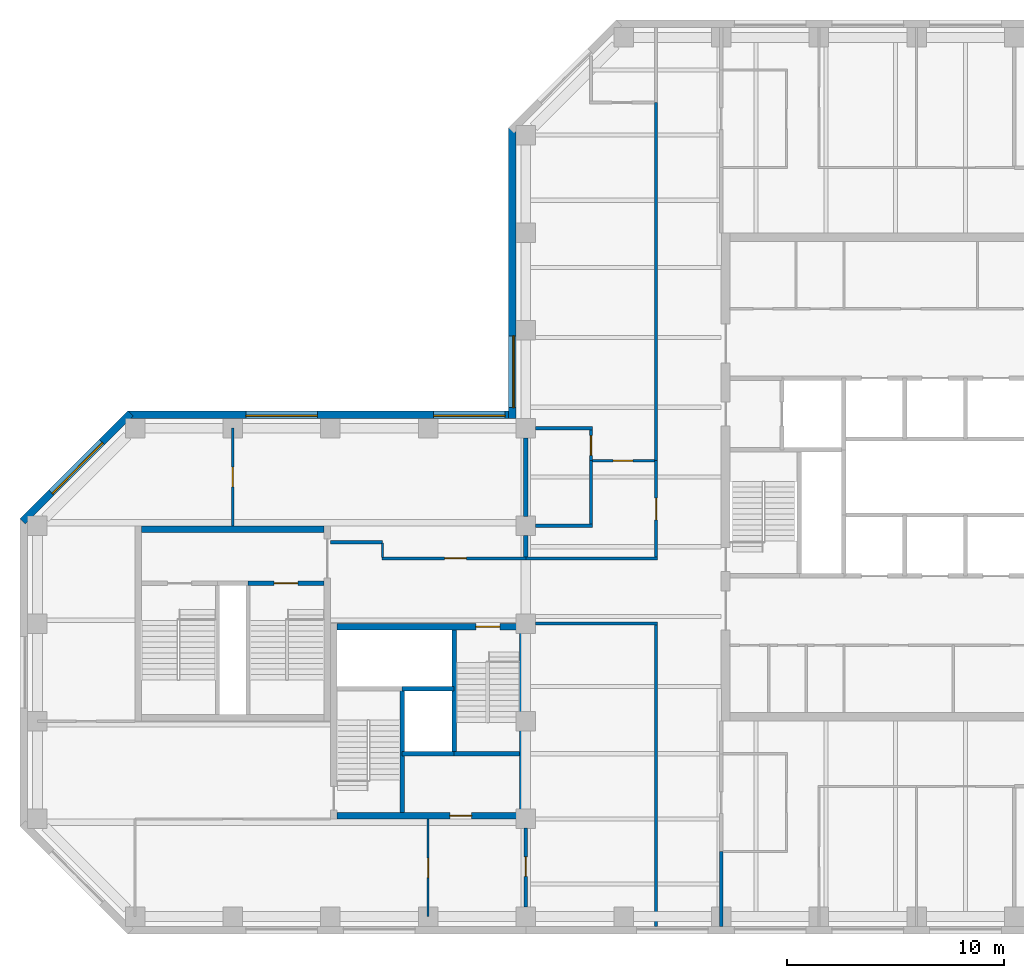
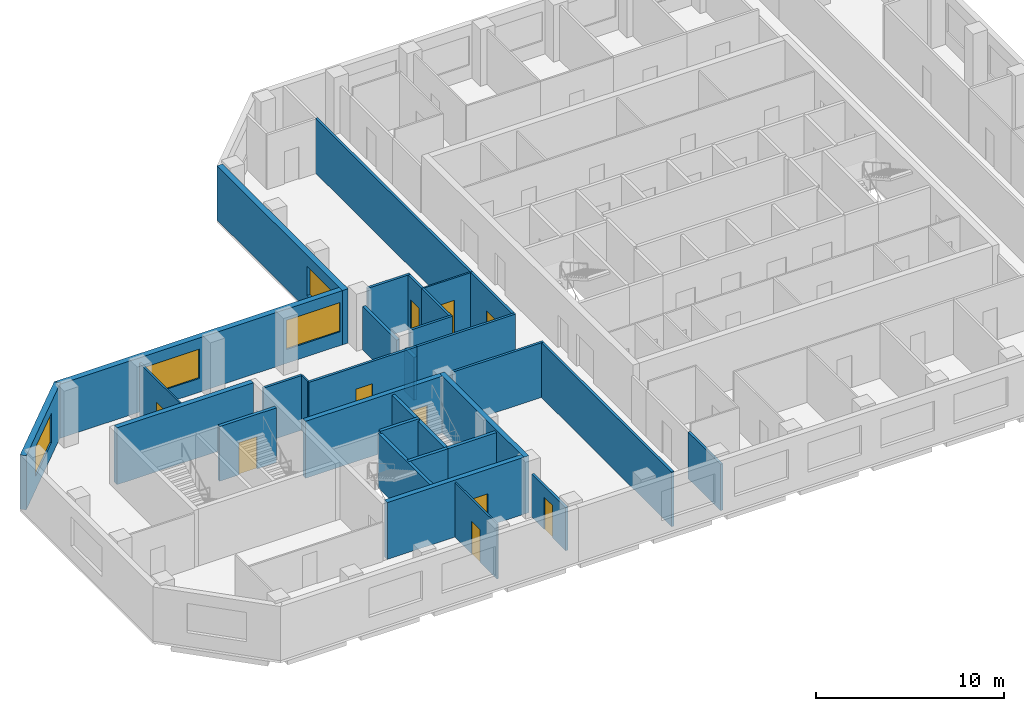
# One storey, part 3 of 9: 32 walls, 10 doors, 4 windows, 14 openings.
"""IFC4 building model written with IfcOpenShell, lengths in metres."""

from ifc_helpers import new_model, si_unit, direction, frame, frame_2d, origin, place, context, subcontext, project, spatial, rectangle, extrude, material, layer, layer_set, constituent, constituent_set, type_object, element, fill, save


model = new_model("IFC4")

# Units and contexts
model_context = context("Model", 3, precision=1e-05, world=origin(), true_north=direction((0.0, 1.0)))
body_context = subcontext(model_context, "Body", "Model", "MODEL_VIEW")
ifc_project = project(units=[si_unit("LENGTHUNIT", "METRE"), si_unit("AREAUNIT", "SQUARE_METRE"), si_unit("VOLUMEUNIT", "CUBIC_METRE"), si_unit("PLANEANGLEUNIT", "RADIAN"), si_unit("MASSUNIT", "GRAM", prefix="KILO")], contexts=[model_context])

# Site, building, storey
site_placement = place(None, origin())
site = spatial("IfcSite", under=ifc_project, at=site_placement, CompositionType="ELEMENT")
building_placement = place(site_placement, origin())
building = spatial("IfcBuilding", under=site, at=building_placement, Name="Quoin Convention Tower", CompositionType="ELEMENT")
storey_placement = place(building_placement, frame((0.0, 0.0, 147.699951171875)))
storey = spatial("IfcBuildingStorey", under=building, at=storey_placement, Name="L38", CompositionType="ELEMENT", Elevation=147.699951171875)

# Walls
ifc_material_1 = material(Name="Plasterboard")
ifc_layer_1 = layer(ifc_material_1, 0.012451171875, Name="Finish")
ifc_material_2 = material(Name="Steel stud framing", Category="steel")
ifc_layer_2 = layer(ifc_material_2, 0.125, Name="Structure")
ifc_layer_3 = layer(ifc_material_1, 0.012451171875, Name="Finish")
ifc_layer_set_1 = layer_set([ifc_layer_1, ifc_layer_2, ifc_layer_3], Name="Steel stud framing")
wall_type_1 = type_object("IfcWallType", Name="Acoustic partition 150", PredefinedType="PARTITIONING", material=ifc_layer_set_1)
for number, where, z_axis, x_axis, name in (
    (1, (36.449951171875, 58.5, 0.0), (0.0, 0.0, 1.0), (1.0, 0.0, 0.0), "pw-L38-022"),
    (2, (36.449951171875, 63.0, 0.0), (0.0, 0.0, 1.0), (1.0, 0.0, 0.0), "pw-L38-028"),
):
    element("IfcWall", number, at=place(storey_placement, frame(where, z_axis=z_axis, x_axis=x_axis)), inside=storey, type_object=wall_type_1, Name=name, PredefinedType="PARTITIONING", context=body_context, shape_type="SweptSolid", body=[
        extrude(rectangle(XDim=2.625, YDim=0.14990234375, at=frame_2d((1.3125, 0.0))), origin(), (0.0, 0.0, 1.0), 3.550048828125),
    ])
wall_1_placement = place(storey_placement, frame((39.0, 58.574951171875, 0.0), z_axis=(0.0, 0.0, 1.0), x_axis=(0.0, 1.0, 0.0)))
element("IfcWall", 3, at=wall_1_placement, inside=storey, type_object=wall_type_1, Name="pw-L38-069", PredefinedType="PARTITIONING", context=body_context, shape_type="SweptSolid", body=[
    extrude(rectangle(XDim=2.925048828125, YDim=0.14990234375, at=frame_2d((1.46240234375, 0.0))), origin(), (0.0, 0.0, 1.0), 3.550048828125),
])

# Wall, opening, door
wall_2_placement = place(storey_placement, frame((39.0, 61.5, 0.0), z_axis=(0.0, 0.0, 1.0), x_axis=(0.0, 1.0, 0.0)))
wall_2 = element("IfcWall", 4, at=wall_2_placement, inside=storey, type_object=wall_type_1, Name="pw-L38-075", PredefinedType="PARTITIONING", context=body_context, shape_type="SweptSolid", body=[
    extrude(rectangle(XDim=1.425048828125, YDim=0.14990234375, at=frame_2d((0.71240234375, 0.0))), origin(), (0.0, 0.0, 1.0), 3.550048828125),
])
opening_1_placement = place(wall_2_placement, frame((0.25, 0.0, 0.0)))
opening_1 = element("IfcOpeningElement", 5, at=opening_1_placement, cuts=wall_2, Name="Opening DOH1-22", PredefinedType="OPENING", context=body_context, shape_type="SweptSolid", body=[
    extrude(rectangle(XDim=0.89990234375, YDim=2.10009765625, at=frame_2d((0.449951171875, 1.050048828125))), frame((0.0, 0.0849609375, 0.0), z_axis=(0.0, -1.0, 0.0), x_axis=(1.0, 0.0, 0.0)), (0.0, 0.0, 1.0), 0.169921875),
])
ifc_material_3 = material(Name="Steel door leaf", Category="steel")
door_type_1 = type_object("IfcDoorType", Name="Office door 900 x 2100", OperationType="SINGLE_SWING_RIGHT", PredefinedType="DOOR", material=ifc_material_3)
door_1_placement = place(opening_1_placement, frame((0.89990234375, 0.0, 0.0), z_axis=(0.0, 0.0, 1.0), x_axis=(-1.0, 0.0, 0.0)))
door_1 = element("IfcDoor", 6, at=door_1_placement, inside=storey, type_object=door_type_1, Name="dr-L38-15", OperationType="SINGLE_SWING_RIGHT", OverallHeight=2.10009765625, OverallWidth=0.89990234375, PredefinedType="DOOR", context=body_context, shape_type="SweptSolid", body=[
    extrude(rectangle(XDim=0.89990234375, YDim=2.10009765625, at=frame_2d((0.449951171875, 1.050048828125))), frame((0.0, 0.02490234375, 0.0), z_axis=(0.0, -1.0, 0.0), x_axis=(1.0, 0.0, 0.0)), (0.0, 0.0, 1.0), 0.050048828125),
])
fill(opening_1, door_1)

# Wall, opening, window
ifc_material_4 = material(Name="Brick masonry", Category="masonry")
ifc_layer_4 = layer(ifc_material_4, 0.35009765625)
ifc_layer_set_2 = layer_set([ifc_layer_4], Name="Brick masonry")
wall_type_2 = type_object("IfcWallType", Name="Brick facade wall", PredefinedType="STANDARD", material=ifc_layer_set_2)
wall_3_placement = place(storey_placement, frame((35.375, 76.831298828125, 0.0), z_axis=(0.0, 0.0, 1.0), x_axis=(0.0, -1.0, 0.0)))
wall_3 = element("IfcWall", 7, at=wall_3_placement, inside=storey, type_object=wall_type_2, Name="fw-L38-36000_76500", PredefinedType="STANDARD", context=body_context, shape_type="SweptSolid", body=[
    extrude(rectangle(XDim=13.38134765625, YDim=0.35009765625, at=frame_2d((6.690673828125, 0.0))), origin(), (0.0, 0.0, 1.0), 3.525146484375),
])
opening_2_placement = place(wall_3_placement, frame((9.581298828125, 0.0, 0.89990234375)))
opening_2 = element("IfcOpeningElement", 8, at=opening_2_placement, cuts=wall_3, Name="Opening W-02", PredefinedType="OPENING", context=body_context, shape_type="SweptSolid", body=[
    extrude(rectangle(XDim=3.300048828125, YDim=1.89990234375, at=frame_2d((1.64990234375, 0.949951171875))), frame((0.0, 0.18505859375, 0.0), z_axis=(0.0, -1.0, 0.0), x_axis=(1.0, 0.0, 0.0)), (0.0, 0.0, 1.0), 0.3701171875),
])
ifc_material_5 = material(Name="Aluminium", Category="aluminium")
ifc_constituent_1 = constituent(ifc_material_5, Name="Frame")
ifc_material_6 = material(Name="Insulated glass", Category="glass")
ifc_constituent_2 = constituent(ifc_material_6, Name="Glazing")
ifc_constituent_set = constituent_set(constituents=[ifc_constituent_1, ifc_constituent_2], Name="Aluminium")
window_type = type_object("IfcWindowType", Name="Office window", PartitioningType="DOUBLE_PANEL_VERTICAL", PredefinedType="WINDOW", material=ifc_constituent_set)
window_1_placement = place(opening_2_placement, origin())
window_1 = element("IfcWindow", 9, at=window_1_placement, inside=storey, type_object=window_type, Name="win-L38-35375_65250", OverallHeight=1.89990234375, OverallWidth=3.300048828125, PartitioningType="SINGLE_PANEL", PredefinedType="WINDOW", context=body_context, shape_type="SweptSolid", body=[
    extrude(rectangle(XDim=3.300048828125, YDim=1.89990234375, at=frame_2d((1.64990234375, 0.949951171875))), frame((0.0, 0.0849609375, 0.0), z_axis=(0.0, -1.0, 0.0), x_axis=(1.0, 0.0, 0.0)), (0.0, 0.0, 1.0), 0.06005859375),
])
fill(opening_2, window_1)

# Wall, openings, windows
wall_4_placement = place(storey_placement, frame((35.550048828125, 63.625, 0.0), z_axis=(0.0, 0.0, 1.0), x_axis=(-1.0, 0.0, 0.0)))
wall_4 = element("IfcWall", 10, at=wall_4_placement, inside=storey, type_object=wall_type_2, Name="fw-L38-36000_63000", PredefinedType="STANDARD", context=body_context, shape_type="SweptSolid", body=[
    extrude(rectangle(XDim=17.88134765625, YDim=0.35009765625, at=frame_2d((8.940673828125, 0.0))), origin(), (0.0, 0.0, 1.0), 3.525146484375),
])
opening_3_placement = place(wall_4_placement, frame((0.5, 0.0, 0.89990234375)))
opening_3 = element("IfcOpeningElement", 11, at=opening_3_placement, cuts=wall_4, Name="Opening W-02", PredefinedType="OPENING", context=body_context, shape_type="SweptSolid", body=[
    extrude(rectangle(XDim=3.300048828125, YDim=1.89990234375, at=frame_2d((1.64990234375, 0.949951171875))), frame((0.0, 0.18505859375, 0.0), z_axis=(0.0, -1.0, 0.0), x_axis=(1.0, 0.0, 0.0)), (0.0, 0.0, 1.0), 0.3701171875),
])
opening_4_placement = place(wall_4_placement, frame((9.14990234375, 0.0, 0.89990234375)))
opening_4 = element("IfcOpeningElement", 12, at=opening_4_placement, cuts=wall_4, Name="Opening W-02", PredefinedType="OPENING", context=body_context, shape_type="SweptSolid", body=[
    extrude(rectangle(XDim=3.300048828125, YDim=1.89990234375, at=frame_2d((1.64990234375, 0.949951171875))), frame((0.0, 0.18505859375, 0.0), z_axis=(0.0, -1.0, 0.0), x_axis=(1.0, 0.0, 0.0)), (0.0, 0.0, 1.0), 0.3701171875),
])
window_2_placement = place(opening_3_placement, origin())
window_2 = element("IfcWindow", 13, at=window_2_placement, inside=storey, type_object=window_type, Name="win-L38-33750_63625", OverallHeight=1.89990234375, OverallWidth=3.300048828125, PartitioningType="SINGLE_PANEL", PredefinedType="WINDOW", context=body_context, shape_type="SweptSolid", body=[
    extrude(rectangle(XDim=3.300048828125, YDim=1.89990234375, at=frame_2d((1.64990234375, 0.949951171875))), frame((0.0, 0.0849609375, 0.0), z_axis=(0.0, -1.0, 0.0), x_axis=(1.0, 0.0, 0.0)), (0.0, 0.0, 1.0), 0.06005859375),
])
fill(opening_3, window_2)
window_3_placement = place(opening_4_placement, origin())
window_3 = element("IfcWindow", 14, at=window_3_placement, inside=storey, type_object=window_type, Name="win-L38-24750_63625", OverallHeight=1.89990234375, OverallWidth=3.300048828125, PartitioningType="SINGLE_PANEL", PredefinedType="WINDOW", context=body_context, shape_type="SweptSolid", body=[
    extrude(rectangle(XDim=3.300048828125, YDim=1.89990234375, at=frame_2d((1.64990234375, 0.949951171875))), frame((0.0, 0.0849609375, 0.0), z_axis=(0.0, -1.0, 0.0), x_axis=(1.0, 0.0, 0.0)), (0.0, 0.0, 1.0), 0.06005859375),
])
fill(opening_4, window_3)

# Wall, opening, window
wall_5_placement = place(storey_placement, frame((17.79248046875, 63.67626953125, 0.0), z_axis=(0.0, 0.0, 1.0), x_axis=(-0.707106781187, -0.707106781187, 0.0)))
wall_5 = element("IfcWall", 15, at=wall_5_placement, inside=storey, type_object=wall_type_2, Name="fw-L38-18000_63000", PredefinedType="STANDARD", context=body_context, shape_type="SweptSolid", body=[
    extrude(rectangle(XDim=7.02685546875, YDim=0.35009765625, at=frame_2d((3.513427734375, 0.0))), origin(), (0.0, 0.0, 1.0), 3.525146484375),
])
opening_5_placement = place(wall_5_placement, frame((1.86328125, 0.0, 0.89990234375)))
opening_5 = element("IfcOpeningElement", 16, at=opening_5_placement, cuts=wall_5, Name="Opening W-02", PredefinedType="OPENING", context=body_context, shape_type="SweptSolid", body=[
    extrude(rectangle(XDim=3.300048828125, YDim=1.89990234375, at=frame_2d((1.64990234375, 0.949951171875))), frame((0.0, 0.18505859375, 0.0), z_axis=(0.0, -1.0, 0.0), x_axis=(1.0, 0.0, 0.0)), (0.0, 0.0, 1.0), 0.3701171875),
])
window_4_placement = place(opening_5_placement, origin())
window_4 = element("IfcWindow", 17, at=window_4_placement, inside=storey, type_object=window_type, Name="win-L38-15308_61192", OverallHeight=1.89990234375, OverallWidth=3.300048828125, PartitioningType="SINGLE_PANEL", PredefinedType="WINDOW", context=body_context, shape_type="SweptSolid", body=[
    extrude(rectangle(XDim=3.300048828125, YDim=1.89990234375, at=frame_2d((1.64990234375, 0.949951171875))), frame((0.0, 0.0849609375, 0.0), z_axis=(0.0, -1.0, 0.0), x_axis=(1.0, 0.0, 0.0)), (0.0, 0.0, 1.0), 0.06005859375),
])
fill(opening_5, window_4)

# Walls
ifc_material_7 = material(Name="Concrete C50", Category="concrete")
ifc_layer_5 = layer(ifc_material_7, 0.199951171875)
ifc_layer_set_3 = layer_set([ifc_layer_5], Name="Concrete C50")
wall_type_3 = type_object("IfcWallType", Name="Core shaft wall", PredefinedType="SOLIDWALL", material=ifc_layer_set_3)
wall_6_placement = place(storey_placement, frame((30.300048828125, 48.0, 0.0), z_axis=(0.0, 0.0, 1.0), x_axis=(1.0, 0.0, 0.0)))
element("IfcWall", 18, at=wall_6_placement, inside=storey, type_object=wall_type_3, Name="cr-P2-L38-h3000_3300", PredefinedType="SOLIDWALL", context=body_context, shape_type="SweptSolid", body=[
    extrude(rectangle(XDim=2.39990234375, YDim=0.199951171875, at=frame_2d((1.199951171875, 0.0))), origin(), (0.0, 0.0, 1.0), 3.550048828125),
])
wall_7_placement = place(storey_placement, frame((32.699951171875, 48.0, 0.0), z_axis=(0.0, 0.0, 1.0), x_axis=(1.0, 0.0, 0.0)))
element("IfcWall", 19, at=wall_7_placement, inside=storey, type_object=wall_type_3, Name="cr-P2-L38-h3000_5700", PredefinedType="SOLIDWALL", context=body_context, shape_type="SweptSolid", body=[
    extrude(rectangle(XDim=3.0, YDim=0.199951171875, at=frame_2d((1.5, 0.0))), origin(), (0.0, 0.0, 1.0), 3.550048828125),
])
for number, where, z_axis, x_axis, name in (
    (20, (30.300048828125, 45.300048828125, 0.0), (0.0, 0.0, 1.0), (0.0, 1.0, 0.0), "cr-P2-L38-v3300_300"),
    (21, (32.699951171875, 48.0, 0.0), (0.0, 0.0, 1.0), (0.0, 1.0, 0.0), "cr-P2-L38-v5700_3000"),
):
    element("IfcWall", number, at=place(storey_placement, frame(where, z_axis=z_axis, x_axis=x_axis)), inside=storey, type_object=wall_type_3, Name=name, PredefinedType="SOLIDWALL", context=body_context, shape_type="SweptSolid", body=[
        extrude(rectangle(XDim=5.699951171875, YDim=0.199951171875, at=frame_2d((2.85009765625, 0.0))), origin(), (0.0, 0.0, 1.0), 3.550048828125),
    ])

# Wall, opening, door
wall_8_placement = place(storey_placement, frame((23.199951171875, 55.85009765625, 0.0), z_axis=(0.0, 0.0, 1.0), x_axis=(1.0, 0.0, 0.0)))
wall_8 = element("IfcWall", 22, at=wall_8_placement, inside=storey, type_object=wall_type_3, Name="cr-P6-L38-h6350_5200", PredefinedType="SOLIDWALL", context=body_context, shape_type="SweptSolid", body=[
    extrude(rectangle(XDim=3.5, YDim=0.199951171875, at=frame_2d((1.75, 0.0))), origin(), (0.0, 0.0, 1.0), 3.550048828125),
])
opening_6_placement = place(wall_8_placement, frame((1.199951171875, 0.0, 0.0)))
opening_6 = element("IfcOpeningElement", 23, at=opening_6_placement, cuts=wall_8, Name="Opening SD12", PredefinedType="OPENING", context=body_context, shape_type="SweptSolid", body=[
    extrude(rectangle(XDim=1.10009765625, YDim=2.10009765625, at=frame_2d((0.550048828125, 1.050048828125))), frame((0.0, 0.10986328125, 0.0), z_axis=(0.0, -1.0, 0.0), x_axis=(1.0, 0.0, 0.0)), (0.0, 0.0, 1.0), 0.219970703125),
])
door_type_2 = type_object("IfcDoorType", Name="Stair door 1100 x 2100", OperationType="SINGLE_SWING_RIGHT", PredefinedType="DOOR", material=ifc_material_3)
door_2_placement = place(opening_6_placement, origin())
door_2 = element("IfcDoor", 24, at=door_2_placement, inside=storey, type_object=door_type_2, Name="cd-P6-L38-SB-R2-SD12", OperationType="SINGLE_SWING_RIGHT", OverallHeight=2.10009765625, OverallWidth=1.10009765625, PredefinedType="DOOR", context=body_context, shape_type="SweptSolid", body=[
    extrude(rectangle(XDim=1.10009765625, YDim=2.10009765625, at=frame_2d((0.550048828125, 1.050048828125))), frame((0.0, 0.02490234375, 0.0), z_axis=(0.0, -1.0, 0.0), x_axis=(1.0, 0.0, 0.0)), (0.0, 0.0, 1.0), 0.050048828125),
])
fill(opening_6, door_2)

# Walls
ifc_layer_6 = layer(ifc_material_7, 0.199951171875)
ifc_layer_set_4 = layer_set([ifc_layer_6], Name="Concrete C50")
wall_type_4 = type_object("IfcWallType", Name="Core shaft wall to the floor level over", PredefinedType="SOLIDWALL", material=ifc_layer_set_4)
wall_9_placement = place(storey_placement, frame((30.300048828125, 51.0, 0.0), z_axis=(0.0, 0.0, 1.0), x_axis=(1.0, 0.0, 0.0)))
element("IfcWall", 25, at=wall_9_placement, inside=storey, type_object=wall_type_4, Name="cr-P2-L38-h6000_3300", PredefinedType="SOLIDWALL", context=body_context, shape_type="SweptSolid", body=[
    extrude(rectangle(XDim=2.39990234375, YDim=0.199951171875, at=frame_2d((1.199951171875, 0.0))), origin(), (0.0, 0.0, 1.0), 3.699951171875),
])
ifc_layer_7 = layer(ifc_material_1, 0.012451171875, Name="Finish")
ifc_layer_8 = layer(ifc_material_2, 0.125, Name="Structure")
ifc_layer_9 = layer(ifc_material_1, 0.012451171875, Name="Finish")
ifc_layer_set_5 = layer_set([ifc_layer_7, ifc_layer_8, ifc_layer_9], Name="Steel stud framing")
wall_type_5 = type_object("IfcWallType", Name="Corridor wall 150", PredefinedType="PARTITIONING", material=ifc_layer_set_5)
wall_10_placement = place(storey_placement, frame((36.449951171875, 54.0, 0.0), z_axis=(0.0, 0.0, 1.0), x_axis=(1.0, 0.0, 0.0)))
element("IfcWall", 26, at=wall_10_placement, inside=storey, type_object=wall_type_5, Name="pw-L38-016", PredefinedType="PARTITIONING", context=body_context, shape_type="SweptSolid", body=[
    extrude(rectangle(XDim=5.625, YDim=0.14990234375, at=frame_2d((2.8125, 0.0))), origin(), (0.0, 0.0, 1.0), 3.550048828125),
])

# Wall, opening, door
wall_11_placement = place(storey_placement, frame((29.3798828125, 57.0, 0.0), z_axis=(0.0, 0.0, 1.0), x_axis=(1.0, 0.0, 0.0)))
wall_11 = element("IfcWall", 27, at=wall_11_placement, inside=storey, type_object=wall_type_5, Name="pw-L38-019", PredefinedType="PARTITIONING", context=body_context, shape_type="SweptSolid", body=[
    extrude(rectangle(XDim=6.6201171875, YDim=0.14990234375, at=frame_2d((3.31005859375, 0.0))), origin(), (0.0, 0.0, 1.0), 3.550048828125),
])
opening_7_placement = place(wall_11_placement, frame((2.8798828125, 0.0, 0.0)))
opening_7 = element("IfcOpeningElement", 28, at=opening_7_placement, cuts=wall_11, Name="Opening DOH1-05", PredefinedType="OPENING", context=body_context, shape_type="SweptSolid", body=[
    extrude(rectangle(XDim=1.0, YDim=2.10009765625, at=frame_2d((0.5, 1.050048828125))), frame((0.0, 0.0849609375, 0.0), z_axis=(0.0, -1.0, 0.0), x_axis=(1.0, 0.0, 0.0)), (0.0, 0.0, 1.0), 0.169921875),
])
door_type_3 = type_object("IfcDoorType", Name="Tenancy entrance door 1000 x 2100", OperationType="DOUBLE_DOOR_SINGLE_SWING", PredefinedType="DOOR", material=ifc_material_3)
door_3_placement = place(opening_7_placement, origin())
door_3 = element("IfcDoor", 29, at=door_3_placement, inside=storey, type_object=door_type_3, Name="dr-L38-w01", OperationType="DOUBLE_DOOR_SINGLE_SWING", OverallHeight=2.10009765625, OverallWidth=1.0, PredefinedType="DOOR", context=body_context, shape_type="SweptSolid", body=[
    extrude(rectangle(XDim=1.0, YDim=2.10009765625, at=frame_2d((0.5, 1.050048828125))), frame((0.0, 0.02490234375, 0.0), z_axis=(0.0, -1.0, 0.0), x_axis=(1.0, 0.0, 0.0)), (0.0, 0.0, 1.0), 0.050048828125),
])
fill(opening_7, door_3)

# Walls
wall_12_placement = place(storey_placement, frame((36.0, 57.0, 0.0), z_axis=(0.0, 0.0, 1.0), x_axis=(1.0, 0.0, 0.0)))
element("IfcWall", 30, at=wall_12_placement, inside=storey, type_object=wall_type_5, Name="pw-L38-020", PredefinedType="PARTITIONING", context=body_context, shape_type="SweptSolid", body=[
    extrude(rectangle(XDim=6.074951171875, YDim=0.14990234375, at=frame_2d((3.03759765625, 0.0))), origin(), (0.0, 0.0, 1.0), 3.550048828125),
])
wall_13_placement = place(storey_placement, frame((42.0, 40.050048828125, 0.0), z_axis=(0.0, 0.0, 1.0), x_axis=(0.0, 1.0, 0.0)))
element("IfcWall", 31, at=wall_13_placement, inside=storey, type_object=wall_type_5, Name="pw-L38-040", PredefinedType="PARTITIONING", context=body_context, shape_type="SweptSolid", body=[
    extrude(rectangle(XDim=13.875, YDim=0.14990234375, at=frame_2d((6.9375, 0.0))), origin(), (0.0, 0.0, 1.0), 3.550048828125),
])

# Wall, opening, door
wall_14_placement = place(storey_placement, frame((42.0, 57.074951171875, 0.0), z_axis=(0.0, 0.0, 1.0), x_axis=(0.0, 1.0, 0.0)))
wall_14 = element("IfcWall", 32, at=wall_14_placement, inside=storey, type_object=wall_type_5, Name="pw-L38-067", PredefinedType="PARTITIONING", context=body_context, shape_type="SweptSolid", body=[
    extrude(rectangle(XDim=4.425048828125, YDim=0.14990234375, at=frame_2d((2.21240234375, 0.0))), origin(), (0.0, 0.0, 1.0), 3.550048828125),
])
opening_8_placement = place(wall_14_placement, frame((1.699951171875, 0.0, 0.0)))
opening_8 = element("IfcOpeningElement", 33, at=opening_8_placement, cuts=wall_14, Name="Opening DOH1-20", PredefinedType="OPENING", context=body_context, shape_type="SweptSolid", body=[
    extrude(rectangle(XDim=1.0, YDim=2.10009765625, at=frame_2d((0.5, 1.050048828125))), frame((0.0, 0.0849609375, 0.0), z_axis=(0.0, -1.0, 0.0), x_axis=(1.0, 0.0, 0.0)), (0.0, 0.0, 1.0), 0.169921875),
])
door_4_placement = place(opening_8_placement, origin())
door_4 = element("IfcDoor", 34, at=door_4_placement, inside=storey, type_object=door_type_3, Name="dr-L38-12", OperationType="DOUBLE_DOOR_SINGLE_SWING", OverallHeight=2.10009765625, OverallWidth=1.0, PredefinedType="DOOR", context=body_context, shape_type="SweptSolid", body=[
    extrude(rectangle(XDim=1.0, YDim=2.10009765625, at=frame_2d((0.5, 1.050048828125))), frame((0.0, 0.02490234375, 0.0), z_axis=(0.0, -1.0, 0.0), x_axis=(1.0, 0.0, 0.0)), (0.0, 0.0, 1.0), 0.050048828125),
])
fill(opening_8, door_4)

# Walls
wall_15_placement = place(storey_placement, frame((42.0, 61.5, 0.0), z_axis=(0.0, 0.0, 1.0), x_axis=(0.0, 1.0, 0.0)))
element("IfcWall", 35, at=wall_15_placement, inside=storey, type_object=wall_type_5, Name="pw-L38-076", PredefinedType="PARTITIONING", context=body_context, shape_type="SweptSolid", body=[
    extrude(rectangle(XDim=16.5, YDim=0.14990234375, at=frame_2d((8.25, 0.0))), origin(), (0.0, 0.0, 1.0), 3.550048828125),
])
wall_16_placement = place(storey_placement, frame((27.0, 57.75, 0.0), z_axis=(0.0, 0.0, 1.0), x_axis=(1.0, 0.0, 0.0)))
element("IfcWall", 36, at=wall_16_placement, inside=storey, type_object=wall_type_5, Name="pw-L38-w06", PredefinedType="PARTITIONING", context=body_context, shape_type="SweptSolid", body=[
    extrude(rectangle(XDim=2.39990234375, YDim=0.14990234375, at=frame_2d((1.199951171875, 0.0))), origin(), (0.0, 0.0, 1.0), 3.550048828125),
])
ifc_layer_10 = layer(ifc_material_1, 0.012451171875, Name="Finish")
ifc_layer_11 = layer(ifc_material_2, 0.125, Name="Structure")
ifc_layer_12 = layer(ifc_material_1, 0.012451171875, Name="Finish")
ifc_layer_set_6 = layer_set([ifc_layer_10, ifc_layer_11, ifc_layer_12], Name="Steel stud framing")
wall_type_6 = type_object("IfcWallType", Name="Corridor wall 150 under beam 528", PredefinedType="PARTITIONING", material=ifc_layer_set_6)
wall_17_placement = place(storey_placement, frame((45.0, 40.050048828125, 0.0), z_axis=(0.0, 0.0, 1.0), x_axis=(0.0, 1.0, 0.0)))
element("IfcWall", 37, at=wall_17_placement, inside=storey, type_object=wall_type_6, Name="pw-L38-041", PredefinedType="PARTITIONING", context=body_context, shape_type="SweptSolid", body=[
    extrude(rectangle(XDim=3.449951171875, YDim=0.14990234375, at=frame_2d((1.72509765625, 0.0))), origin(), (0.0, 0.0, 1.0), 3.02197265625),
])

# Wall, opening, door
ifc_layer_13 = layer(ifc_material_1, 0.012451171875, Name="Finish")
ifc_layer_14 = layer(ifc_material_2, 0.125, Name="Structure")
ifc_layer_15 = layer(ifc_material_1, 0.012451171875, Name="Finish")
ifc_layer_set_7 = layer_set([ifc_layer_13, ifc_layer_14, ifc_layer_15], Name="Steel stud framing")
wall_type_7 = type_object("IfcWallType", Name="Corridor wall 150 under beam 750", PredefinedType="PARTITIONING", material=ifc_layer_set_7)
wall_18_placement = place(storey_placement, frame((36.0, 40.949951171875, 0.0), z_axis=(0.0, 0.0, 1.0), x_axis=(0.0, 1.0, 0.0)))
wall_18 = element("IfcWall", 38, at=wall_18_placement, inside=storey, type_object=wall_type_7, Name="pw-L38-048", PredefinedType="PARTITIONING", context=body_context, shape_type="SweptSolid", body=[
    extrude(rectangle(XDim=3.630126953125, YDim=0.14990234375, at=frame_2d((1.81494140625, 0.0))), origin(), (0.0, 0.0, 1.0), 2.800048828125),
])
opening_9_placement = place(wall_18_placement, frame((1.39990234375, 0.0, 0.0)))
opening_9 = element("IfcOpeningElement", 39, at=opening_9_placement, cuts=wall_18, Name="Opening DOH1-14", PredefinedType="OPENING", context=body_context, shape_type="SweptSolid", body=[
    extrude(rectangle(XDim=0.89990234375, YDim=2.10009765625, at=frame_2d((0.449951171875, 1.050048828125))), frame((0.0, 0.0849609375, 0.0), z_axis=(0.0, -1.0, 0.0), x_axis=(1.0, 0.0, 0.0)), (0.0, 0.0, 1.0), 0.169921875),
])
door_5_placement = place(opening_9_placement, frame((0.89990234375, 0.0, 0.0), z_axis=(0.0, 0.0, 1.0), x_axis=(-1.0, 0.0, 0.0)))
door_5 = element("IfcDoor", 40, at=door_5_placement, inside=storey, type_object=door_type_1, Name="dr-L38-01", OperationType="SINGLE_SWING_LEFT", OverallHeight=2.10009765625, OverallWidth=0.89990234375, PredefinedType="DOOR", context=body_context, shape_type="SweptSolid", body=[
    extrude(rectangle(XDim=0.89990234375, YDim=2.10009765625, at=frame_2d((0.449951171875, 1.050048828125))), frame((0.0, 0.02490234375, 0.0), z_axis=(0.0, -1.0, 0.0), x_axis=(1.0, 0.0, 0.0)), (0.0, 0.0, 1.0), 0.050048828125),
])
fill(opening_9, door_5)

ifc_layer_16 = layer(ifc_material_7, 0.300048828125)
ifc_layer_set_8 = layer_set([ifc_layer_16], Name="Concrete C50")
wall_type_8 = type_object("IfcWallType", Name="RC CORE WALL 300 C50", PredefinedType="SHEAR", material=ifc_layer_set_8)
wall_19_placement = place(storey_placement, frame((27.300048828125, 45.14990234375, 0.0), z_axis=(0.0, 0.0, 1.0), x_axis=(1.0, 0.0, 0.0)))
wall_19 = element("IfcWall", 41, at=wall_19_placement, inside=storey, type_object=wall_type_8, Name="cwl-P2-L38-S", PredefinedType="SHEAR", context=body_context, shape_type="SweptSolid", body=[
    extrude(rectangle(XDim=8.39990234375, YDim=0.300048828125, at=frame_2d((4.199951171875, 0.0))), origin(), (0.0, 0.0, 1.0), 3.699951171875),
])
opening_10_placement = place(wall_19_placement, frame((5.199951171875, 0.0, 0.0)))
opening_10 = element("IfcOpeningElement", 42, at=opening_10_placement, cuts=wall_19, Name="Opening DCV1-50", PredefinedType="OPENING", context=body_context, shape_type="SweptSolid", body=[
    extrude(rectangle(XDim=1.0, YDim=2.10009765625, at=frame_2d((0.5, 1.050048828125))), frame((0.0, 0.159912109375, 0.0), z_axis=(0.0, -1.0, 0.0), x_axis=(1.0, 0.0, 0.0)), (0.0, 0.0, 1.0), 0.320068359375),
])
door_type_4 = type_object("IfcDoorType", Name="Service door 1000 x 2100", OperationType="SINGLE_SWING_LEFT", PredefinedType="DOOR", material=ifc_material_3)
door_6_placement = place(opening_10_placement, frame((1.0, 0.0, 0.0), z_axis=(0.0, 0.0, 1.0), x_axis=(-1.0, 0.0, 0.0)))
door_6 = element("IfcDoor", 43, at=door_6_placement, inside=storey, type_object=door_type_4, Name="cd-P2-L38-R2-S", OperationType="SINGLE_SWING_RIGHT", OverallHeight=2.10009765625, OverallWidth=1.0, PredefinedType="DOOR", context=body_context, shape_type="SweptSolid", body=[
    extrude(rectangle(XDim=1.0, YDim=2.10009765625, at=frame_2d((0.5, 1.050048828125))), frame((0.0, 0.02490234375, 0.0), z_axis=(0.0, -1.0, 0.0), x_axis=(1.0, 0.0, 0.0)), (0.0, 0.0, 1.0), 0.050048828125),
])
fill(opening_10, door_6)

wall_20_placement = place(storey_placement, frame((27.300048828125, 53.85009765625, 0.0), z_axis=(0.0, 0.0, 1.0), x_axis=(1.0, 0.0, 0.0)))
wall_20 = element("IfcWall", 44, at=wall_20_placement, inside=storey, type_object=wall_type_8, Name="cwl-P2-L38-N", PredefinedType="SHEAR", context=body_context, shape_type="SweptSolid", body=[
    extrude(rectangle(XDim=8.39990234375, YDim=0.300048828125, at=frame_2d((4.199951171875, 0.0))), origin(), (0.0, 0.0, 1.0), 3.699951171875),
])
opening_11_placement = place(wall_20_placement, frame((6.39990234375, 0.0, 0.0)))
opening_11 = element("IfcOpeningElement", 45, at=opening_11_placement, cuts=wall_20, Name="Opening SD4", PredefinedType="OPENING", context=body_context, shape_type="SweptSolid", body=[
    extrude(rectangle(XDim=1.10009765625, YDim=2.10009765625, at=frame_2d((0.550048828125, 1.050048828125))), frame((0.0, 0.159912109375, 0.0), z_axis=(0.0, -1.0, 0.0), x_axis=(1.0, 0.0, 0.0)), (0.0, 0.0, 1.0), 0.320068359375),
])
door_7_placement = place(opening_11_placement, frame((1.10009765625, 0.0, 0.0), z_axis=(0.0, 0.0, 1.0), x_axis=(-1.0, 0.0, 0.0)))
door_7 = element("IfcDoor", 46, at=door_7_placement, inside=storey, type_object=door_type_2, Name="cd-P2-L38-SB-N", OperationType="SINGLE_SWING_LEFT", OverallHeight=2.10009765625, OverallWidth=1.10009765625, PredefinedType="DOOR", context=body_context, shape_type="SweptSolid", body=[
    extrude(rectangle(XDim=1.10009765625, YDim=2.10009765625, at=frame_2d((0.550048828125, 1.050048828125))), frame((0.0, 0.02490234375, 0.0), z_axis=(0.0, -1.0, 0.0), x_axis=(1.0, 0.0, 0.0)), (0.0, 0.0, 1.0), 0.050048828125),
])
fill(opening_11, door_7)

# Walls
wall_21_placement = place(storey_placement, frame((35.85009765625, 45.0, 0.0), z_axis=(0.0, 0.0, 1.0), x_axis=(0.0, 1.0, 0.0)))
element("IfcWall", 47, at=wall_21_placement, inside=storey, type_object=wall_type_8, Name="cwl-P2-L38-E", PredefinedType="SHEAR", context=body_context, shape_type="SweptSolid", body=[
    extrude(rectangle(XDim=9.0, YDim=0.300048828125, at=frame_2d((4.5, 0.0))), origin(), (0.0, 0.0, 1.0), 3.699951171875),
])
wall_22_placement = place(storey_placement, frame((18.300048828125, 58.35009765625, 0.0), z_axis=(0.0, 0.0, 1.0), x_axis=(1.0, 0.0, 0.0)))
element("IfcWall", 48, at=wall_22_placement, inside=storey, type_object=wall_type_8, Name="cwl-P6-L38-N", PredefinedType="SHEAR", context=body_context, shape_type="SweptSolid", body=[
    extrude(rectangle(XDim=8.39990234375, YDim=0.300048828125, at=frame_2d((4.199951171875, 0.0))), origin(), (0.0, 0.0, 1.0), 3.699951171875),
])

# Wall, opening, door
ifc_layer_17 = layer(ifc_material_1, 0.012451171875, Name="Finish")
ifc_layer_18 = layer(ifc_material_2, 0.074951171875, Name="Structure")
ifc_layer_19 = layer(ifc_material_1, 0.012451171875, Name="Finish")
ifc_layer_set_9 = layer_set([ifc_layer_17, ifc_layer_18, ifc_layer_19], Name="Steel stud framing")
wall_type_9 = type_object("IfcWallType", Name="Stud partition 100", PredefinedType="PARTITIONING", material=ifc_layer_set_9)
wall_23_placement = place(storey_placement, frame((39.074951171875, 61.5, 0.0), z_axis=(0.0, 0.0, 1.0), x_axis=(1.0, 0.0, 0.0)))
wall_23 = element("IfcWall", 49, at=wall_23_placement, inside=storey, type_object=wall_type_9, Name="pw-L38-027", PredefinedType="PARTITIONING", context=body_context, shape_type="SweptSolid", body=[
    extrude(rectangle(XDim=2.85009765625, YDim=0.10009765625, at=frame_2d((1.425048828125, 0.0))), origin(), (0.0, 0.0, 1.0), 3.550048828125),
])
opening_12_placement = place(wall_23_placement, frame((0.949951171875, 0.0, 0.0)))
opening_12 = element("IfcOpeningElement", 50, at=opening_12_placement, cuts=wall_23, Name="Opening DOH1-06", PredefinedType="OPENING", context=body_context, shape_type="SweptSolid", body=[
    extrude(rectangle(XDim=0.89990234375, YDim=2.10009765625, at=frame_2d((0.449951171875, 1.050048828125))), frame((0.0, 0.06005859375, 0.0), z_axis=(0.0, -1.0, 0.0), x_axis=(1.0, 0.0, 0.0)), (0.0, 0.0, 1.0), 0.1201171875),
])
door_8_placement = place(opening_12_placement, origin())
door_8 = element("IfcDoor", 51, at=door_8_placement, inside=storey, type_object=door_type_1, Name="dr-L38-13", OperationType="SINGLE_SWING_RIGHT", OverallHeight=2.10009765625, OverallWidth=0.89990234375, PredefinedType="DOOR", context=body_context, shape_type="SweptSolid", body=[
    extrude(rectangle(XDim=0.89990234375, YDim=2.10009765625, at=frame_2d((0.449951171875, 1.050048828125))), frame((0.0, 0.02490234375, 0.0), z_axis=(0.0, -1.0, 0.0), x_axis=(1.0, 0.0, 0.0)), (0.0, 0.0, 1.0), 0.050048828125),
])
fill(opening_12, door_8)

wall_24_placement = place(storey_placement, frame((22.5, 63.0, 0.0), z_axis=(0.0, 0.0, 1.0), x_axis=(0.0, -1.0, 0.0)))
wall_24 = element("IfcWall", 52, at=wall_24_placement, inside=storey, type_object=wall_type_9, Name="pw-L38-w01", PredefinedType="PARTITIONING", context=body_context, shape_type="SweptSolid", body=[
    extrude(rectangle(XDim=4.5, YDim=0.10009765625, at=frame_2d((2.25, 0.0))), origin(), (0.0, 0.0, 1.0), 3.550048828125),
])
opening_13_placement = place(wall_24_placement, frame((1.800048828125, 0.0, 0.0)))
opening_13 = element("IfcOpeningElement", 53, at=opening_13_placement, cuts=wall_24, Name="Opening DOH1-27", PredefinedType="OPENING", context=body_context, shape_type="SweptSolid", body=[
    extrude(rectangle(XDim=0.89990234375, YDim=2.10009765625, at=frame_2d((0.449951171875, 1.050048828125))), frame((0.0, 0.06005859375, 0.0), z_axis=(0.0, -1.0, 0.0), x_axis=(1.0, 0.0, 0.0)), (0.0, 0.0, 1.0), 0.1201171875),
])
door_9_placement = place(opening_13_placement, origin())
door_9 = element("IfcDoor", 54, at=door_9_placement, inside=storey, type_object=door_type_1, Name="dr-L38-w02", OperationType="SINGLE_SWING_LEFT", OverallHeight=2.10009765625, OverallWidth=0.89990234375, PredefinedType="DOOR", context=body_context, shape_type="SweptSolid", body=[
    extrude(rectangle(XDim=0.89990234375, YDim=2.10009765625, at=frame_2d((0.449951171875, 1.050048828125))), frame((0.0, 0.02490234375, 0.0), z_axis=(0.0, -1.0, 0.0), x_axis=(1.0, 0.0, 0.0)), (0.0, 0.0, 1.0), 0.050048828125),
])
fill(opening_13, door_9)

wall_25_placement = place(storey_placement, frame((31.5, 45.0, 0.0), z_axis=(0.0, 0.0, 1.0), x_axis=(0.0, -1.0, 0.0)))
wall_25 = element("IfcWall", 55, at=wall_25_placement, inside=storey, type_object=wall_type_9, Name="pw-L38-w05", PredefinedType="PARTITIONING", context=body_context, shape_type="SweptSolid", body=[
    extrude(rectangle(XDim=4.5, YDim=0.10009765625, at=frame_2d((2.25, 0.0))), origin(), (0.0, 0.0, 1.0), 3.550048828125),
])
opening_14_placement = place(wall_25_placement, frame((1.800048828125, 0.0, 0.0)))
opening_14 = element("IfcOpeningElement", 56, at=opening_14_placement, cuts=wall_25, Name="Opening DOH1-30", PredefinedType="OPENING", context=body_context, shape_type="SweptSolid", body=[
    extrude(rectangle(XDim=0.89990234375, YDim=2.10009765625, at=frame_2d((0.449951171875, 1.050048828125))), frame((0.0, 0.06005859375, 0.0), z_axis=(0.0, -1.0, 0.0), x_axis=(1.0, 0.0, 0.0)), (0.0, 0.0, 1.0), 0.1201171875),
])
door_10_placement = place(opening_14_placement, frame((0.89990234375, 0.0, 0.0), z_axis=(0.0, 0.0, 1.0), x_axis=(-1.0, 0.0, 0.0)))
door_10 = element("IfcDoor", 57, at=door_10_placement, inside=storey, type_object=door_type_1, Name="dr-L38-w05", OperationType="SINGLE_SWING_RIGHT", OverallHeight=2.10009765625, OverallWidth=0.89990234375, PredefinedType="DOOR", context=body_context, shape_type="SweptSolid", body=[
    extrude(rectangle(XDim=0.89990234375, YDim=2.10009765625, at=frame_2d((0.449951171875, 1.050048828125))), frame((0.0, 0.02490234375, 0.0), z_axis=(0.0, -1.0, 0.0), x_axis=(1.0, 0.0, 0.0)), (0.0, 0.0, 1.0), 0.050048828125),
])
fill(opening_14, door_10)

# Walls
wall_26_placement = place(storey_placement, frame((29.39990234375, 57.715087890625, 0.0), z_axis=(0.0, 0.0, 1.0), x_axis=(0.0, -1.0, 0.0)))
element("IfcWall", 58, at=wall_26_placement, inside=storey, type_object=wall_type_9, Name="pw-L38-w07", PredefinedType="PARTITIONING", context=body_context, shape_type="SweptSolid", body=[
    extrude(rectangle(XDim=0.68017578125, YDim=0.10009765625, at=frame_2d((0.340087890625, 0.0))), origin(), (0.0, 0.0, 1.0), 3.550048828125),
])
ifc_layer_20 = layer(ifc_material_1, 0.012451171875, Name="Finish")
ifc_layer_21 = layer(ifc_material_2, 0.175048828125, Name="Structure")
ifc_layer_22 = layer(ifc_material_1, 0.012451171875, Name="Finish")
ifc_layer_set_10 = layer_set([ifc_layer_20, ifc_layer_21, ifc_layer_22], Name="Steel stud framing")
wall_type_10 = type_object("IfcWallType", Name="Tenancy demising wall 200 under beam 750", PredefinedType="PARTITIONING", material=ifc_layer_set_10)
wall_27_placement = place(storey_placement, frame((36.0, 57.074951171875, 0.0), z_axis=(0.0, 0.0, 1.0), x_axis=(0.0, 1.0, 0.0)))
element("IfcWall", 59, at=wall_27_placement, inside=storey, type_object=wall_type_10, Name="pw-L38-066", PredefinedType="PARTITIONING", context=body_context, shape_type="SweptSolid", body=[
    extrude(rectangle(XDim=0.97509765625, YDim=0.199951171875, at=frame_2d((0.487548828125, 0.0))), origin(), (0.0, 0.0, 1.0), 2.800048828125),
])
wall_28_placement = place(storey_placement, frame((36.0, 58.919921875, 0.0), z_axis=(0.0, 0.0, 1.0), x_axis=(0.0, 1.0, 0.0)))
element("IfcWall", 60, at=wall_28_placement, inside=storey, type_object=wall_type_10, Name="pw-L38-070", PredefinedType="PARTITIONING", context=body_context, shape_type="SweptSolid", body=[
    extrude(rectangle(XDim=3.630126953125, YDim=0.199951171875, at=frame_2d((1.81494140625, 0.0))), origin(), (0.0, 0.0, 1.0), 2.800048828125),
])

save(model, "model.ifc")
